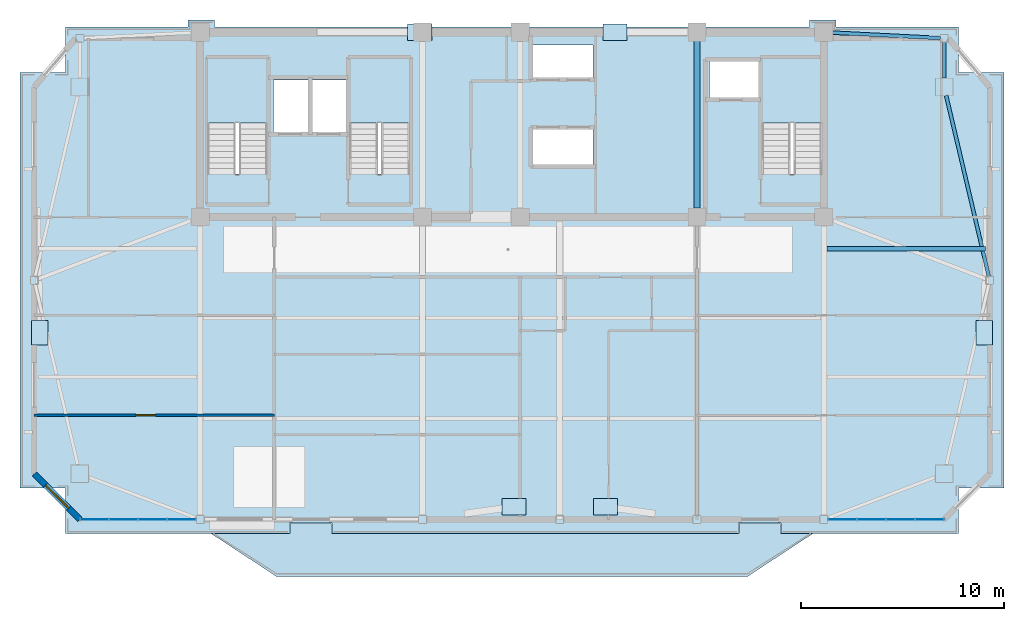
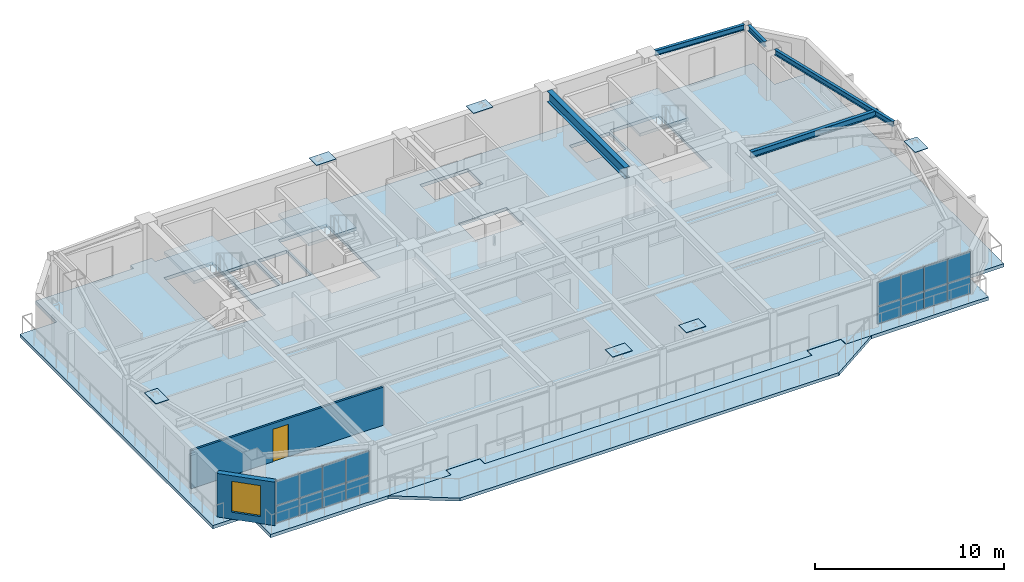
# One storey, part 5 of 12: 22 plates, 5 beams, 5 slabs, 2 walls, 1 door, 1 window, 2 openings, 5 elements without a shape of their own.
"""IFC4 building model written with IfcOpenShell, lengths in metres."""

from ifc_helpers import new_model, si_unit, direction, frame, frame_2d, origin, origin_2d, place, context, subcontext, project, spatial, polyline, rectangle, i_section, outline, extrude, source, transform, mapped, material, layer, layer_set, material_profile, profile_set, type_object, element, fill, aggregate, save


model = new_model("IFC4")

# Units and contexts
model_context = context("Model", 3, precision=1e-05, world=origin(), true_north=direction((0.0, 1.0)))
body_context = subcontext(model_context, "Body", "Model", "MODEL_VIEW")
ifc_project = project(units=[si_unit("LENGTHUNIT", "METRE"), si_unit("AREAUNIT", "SQUARE_METRE"), si_unit("VOLUMEUNIT", "CUBIC_METRE"), si_unit("PLANEANGLEUNIT", "RADIAN"), si_unit("MASSUNIT", "GRAM", prefix="KILO")], contexts=[model_context])

# Site, building, storey
site_placement = place(None, origin())
site = spatial("IfcSite", under=ifc_project, at=site_placement, CompositionType="ELEMENT")
building_placement = place(site_placement, origin())
building = spatial("IfcBuilding", under=site, at=building_placement, Name="Giltprow Tower", CompositionType="ELEMENT")
storey_placement = place(building_placement, frame((0.0, 0.0, 339.10009765625)))
storey = spatial("IfcBuildingStorey", under=building, at=storey_placement, Name="L88", CompositionType="ELEMENT", Elevation=339.10009765625)

# Beams
ifc_material_1 = material(Name="Structural steel Q355B", Category="steel")
ifc_material_profile_1 = material_profile(ifc_material_1, i_section(OverallWidth=0.300048828125, OverallDepth=0.699951171875, WebThickness=0.012939453125, FlangeThickness=0.02392578125, at=origin_2d()), Name="HN 700x300x13x24")
ifc_profile_set_1 = profile_set([ifc_material_profile_1], Name="Structural steel Q355B")
beam_type_1 = type_object("IfcBeamType", Name="BM-GIRD-HN700", PredefinedType="BEAM", material=ifc_profile_set_1)
shared_shape_1 = source(origin(), body_context, "Body", "SweptSolid", [
    extrude(i_section(OverallWidth=0.300048828125, OverallDepth=0.699951171875, WebThickness=0.012939453125, FlangeThickness=0.02392578125, at=origin_2d()), origin(), (0.0, 0.0, 1.0), 8.22998046875),
])
beam_1_placement = place(storey_placement, frame((44.300048828125, 37.885009765625, 2.8349609375), z_axis=(0.0, 1.0, 0.0), x_axis=(-1.0, 0.0, 0.0)))
element("IfcBeam", 1, at=beam_1_placement, inside=storey, type_object=beam_type_1, Name="L88 Core Tie Girder M3", PredefinedType="BEAM", context=body_context, shape_type="MappedRepresentation", body=[
    mapped(shared_shape_1, transform((0.0, 0.0, 0.0), x_axis=(1.0, 0.0, 0.0), y_axis=(0.0, 1.0, 0.0), z_axis=(0.0, 0.0, 1.0), scale=1.0)),
])
ifc_material_profile_2 = material_profile(ifc_material_1, i_section(OverallWidth=0.175048828125, OverallDepth=0.35009765625, WebThickness=0.007080078125, FlangeThickness=0.010986328125, at=origin_2d()), Name="HN 350x175x7x11")
ifc_profile_set_2 = profile_set([ifc_material_profile_2], Name="Structural steel Q355B")
beam_type_2 = type_object("IfcBeamType", Name="BM-SPAN-HN350", PredefinedType="SPANDREL", material=ifc_profile_set_2)
shared_shape_2 = source(origin(), body_context, "Body", "SweptSolid", [
    extrude(i_section(OverallWidth=0.175048828125, OverallDepth=0.35009765625, WebThickness=0.007080078125, FlangeThickness=0.010986328125, at=origin_2d()), origin(), (0.0, 0.0, 1.0), 9.161865234375),
])
beam_2_placement = place(storey_placement, frame((58.673095703125, 34.513916015625, 3.010009765625), z_axis=(-0.22964825006, 0.973273692876, 0.0), x_axis=(-0.973273692876, -0.22964825006, 0.0)))
element("IfcBeam", 2, at=beam_2_placement, inside=storey, type_object=beam_type_2, Name="L88 Perimeter Spandrel Beam E_MID-MC_NE", PredefinedType="SPANDREL", context=body_context, shape_type="MappedRepresentation", body=[
    mapped(shared_shape_2, transform((0.0, 0.0, 0.0), x_axis=(1.0, 0.0, 0.0), y_axis=(0.0, 1.0, 0.0), z_axis=(0.0, 0.0, 1.0), scale=1.0)),
])
shared_shape_3 = source(origin(), body_context, "Body", "SweptSolid", [
    extrude(i_section(OverallWidth=0.175048828125, OverallDepth=0.35009765625, WebThickness=0.007080078125, FlangeThickness=0.010986328125, at=origin_2d()), origin(), (0.0, 0.0, 1.0), 1.77587890625),
])
beam_3_placement = place(storey_placement, frame((56.468994140625, 44.2890625, 3.010009765625), z_axis=(0.0, 1.0, 0.0), x_axis=(-1.0, 0.0, 0.0)))
element("IfcBeam", 3, at=beam_3_placement, inside=storey, type_object=beam_type_2, Name="L88 Perimeter Spandrel Beam MC_NE-N_E", PredefinedType="SPANDREL", context=body_context, shape_type="MappedRepresentation", body=[
    mapped(shared_shape_3, transform((0.0, 0.0, 0.0), x_axis=(1.0, 0.0, 0.0), y_axis=(0.0, 1.0, 0.0), z_axis=(0.0, 0.0, 1.0), scale=1.0)),
])
shared_shape_4 = source(origin(), body_context, "Body", "SweptSolid", [
    extrude(i_section(OverallWidth=0.175048828125, OverallDepth=0.35009765625, WebThickness=0.007080078125, FlangeThickness=0.010986328125, at=origin_2d()), origin(), (0.0, 0.0, 1.0), 5.306884765625),
])
beam_4_placement = place(storey_placement, frame((50.98388671875, 46.528076171875, 3.010009765625), z_axis=(0.998714076234, -0.050697080106, 0.0), x_axis=(0.050697080106, 0.998714076234, 0.0)))
element("IfcBeam", 4, at=beam_4_placement, inside=storey, type_object=beam_type_2, Name="L88 North Wing Spandrel E", PredefinedType="SPANDREL", context=body_context, shape_type="MappedRepresentation", body=[
    mapped(shared_shape_4, transform((0.0, 0.0, 0.0), x_axis=(1.0, 0.0, 0.0), y_axis=(0.0, 1.0, 0.0), z_axis=(0.0, 0.0, 1.0), scale=1.0)),
])
ifc_material_profile_3 = material_profile(ifc_material_1, i_section(OverallWidth=0.199951171875, OverallDepth=0.39990234375, WebThickness=0.008056640625, FlangeThickness=0.012939453125, at=origin_2d()), Name="HN 400x200x8x13")
ifc_profile_set_3 = profile_set([ifc_material_profile_3], Name="Structural steel Q355B")
beam_type_3 = type_object("IfcBeamType", Name="BM-JOIST-HN400", PredefinedType="JOIST", material=ifc_profile_set_3)
shared_shape_5 = source(origin(), body_context, "Body", "SweptSolid", [
    extrude(i_section(OverallWidth=0.199951171875, OverallDepth=0.39990234375, WebThickness=0.008056640625, FlangeThickness=0.012939453125, at=origin_2d()), origin(), (0.0, 0.0, 1.0), 7.800048828125),
])
beam_5_placement = place(storey_placement, frame((50.695068359375, 35.89208984375, 2.98486328125), z_axis=(1.0, 0.0, 0.0), x_axis=(0.0, 1.0, 0.0)))
element("IfcBeam", 5, at=beam_5_placement, inside=storey, type_object=beam_type_3, Name="L88 East Wing Floor Joist 2", PredefinedType="JOIST", context=body_context, shape_type="MappedRepresentation", body=[
    mapped(shared_shape_5, transform((0.0, 0.0, 0.0), x_axis=(1.0, 0.0, 0.0), y_axis=(0.0, 1.0, 0.0), z_axis=(0.0, 0.0, 1.0), scale=1.0)),
])

# Slabs
ifc_material_2 = material(Name="Concrete C40", Category="concrete")
ifc_layer_1 = layer(ifc_material_2, 0.199951171875, Name="Concrete C40")
ifc_layer_set_1 = layer_set([ifc_layer_1], Name="Concrete C40")
slab_type_1 = type_object("IfcSlabType", Name="SLB-BALC-BRONZE-200", PredefinedType="FLOOR", material=ifc_layer_set_1)
slab_1_placement = place(storey_placement, frame((0.0, 0.0, -0.2001953125)))
element("IfcSlab", 6, at=slab_1_placement, inside=storey, type_object=slab_type_1, Name="L88 Bronze Prow Waterfront Balcony Slab", PredefinedType="FLOOR", context=body_context, shape_type="SweptSolid", body=[
    extrude(outline(polyline([(50.0, 21.867919921875), (46.800048828125, 19.76806640625), (23.60009765625, 19.76806640625), (20.39990234375, 21.867919921875), (24.280029296875, 21.867919921875), (24.280029296875, 22.367919921875), (26.320068359375, 22.367919921875), (26.320068359375, 21.867919921875), (46.3798828125, 21.867919921875), (46.3798828125, 22.367919921875), (48.419921875, 22.367919921875), (48.419921875, 21.867919921875), (50.0, 21.867919921875)])), origin(), (0.0, 0.0, 1.0), 0.2001953125),
])
ifc_layer_2 = layer(ifc_material_2, 0.215087890625, Name="Concrete C40")
ifc_layer_set_2 = layer_set([ifc_layer_2], Name="Concrete C40")
slab_type_2 = type_object("IfcSlabType", Name="SLB-RES-215", PredefinedType="FLOOR", material=ifc_layer_set_2)
slab_2_placement = place(storey_placement, frame((0.0, 0.0, -0.215087890625)))
element("IfcSlab", 7, at=slab_2_placement, inside=storey, type_object=slab_type_2, Name="L88 Structural Composite Floor Slab", PredefinedType="FLOOR", context=body_context, shape_type="SweptSolid", body=[
    extrude(outline(polyline([(59.4150390625, 44.553955078125), (59.4150390625, 24.114013671875), (57.1689453125, 24.114013671875), (57.1689453125, 21.867919921875), (48.449951171875, 21.867919921875), (48.449951171875, 22.387939453125), (46.35009765625, 22.387939453125), (46.35009765625, 21.867919921875), (26.35009765625, 21.867919921875), (26.35009765625, 22.387939453125), (24.25, 22.387939453125), (24.25, 21.867919921875), (13.23095703125, 21.867919921875), (13.23095703125, 24.114013671875), (10.985107421875, 24.114013671875), (10.985107421875, 44.553955078125), (13.23095703125, 44.553955078125), (13.23095703125, 46.800048828125), (19.25, 46.800048828125), (19.25, 47.14990234375), (20.550048828125, 47.14990234375), (20.550048828125, 46.800048828125), (49.85009765625, 46.800048828125), (49.85009765625, 47.14990234375), (51.14990234375, 47.14990234375), (51.14990234375, 46.800048828125), (57.1689453125, 46.800048828125), (57.1689453125, 44.553955078125), (59.4150390625, 44.553955078125)]), holes=[polyline([(39.18994140625, 41.800048828125), (36.239990234375, 41.800048828125), (36.239990234375, 40.0), (39.18994140625, 40.0), (39.18994140625, 41.800048828125)]), polyline([(23.159912109375, 39.570068359375), (23.159912109375, 45.25), (20.199951171875, 45.25), (20.199951171875, 39.570068359375), (23.159912109375, 39.570068359375)]), polyline([(30.159912109375, 39.570068359375), (30.159912109375, 45.25), (27.199951171875, 45.25), (27.199951171875, 39.570068359375), (30.159912109375, 39.570068359375)]), polyline([(50.4599609375, 45.25), (47.5, 45.25), (47.5, 39.570068359375), (50.4599609375, 39.570068359375), (50.4599609375, 45.25)]), polyline([(25.169921875, 44.199951171875), (23.449951171875, 44.199951171875), (23.449951171875, 41.60009765625), (25.169921875, 41.60009765625), (25.169921875, 44.199951171875)]), polyline([(27.10009765625, 44.199951171875), (25.35009765625, 44.199951171875), (25.35009765625, 41.60009765625), (27.10009765625, 41.60009765625), (27.10009765625, 44.199951171875)]), polyline([(47.3798828125, 43.300048828125), (47.3798828125, 45.10009765625), (44.919921875, 45.10009765625), (44.919921875, 43.300048828125), (47.3798828125, 43.300048828125)]), polyline([(39.18994140625, 44.300048828125), (39.18994140625, 45.919921875), (36.239990234375, 45.919921875), (36.239990234375, 44.300048828125), (39.18994140625, 44.300048828125)])]), origin(), (0.0, 0.0, 1.0), 0.215087890625),
])

# Stair, slab
stair_type_1 = type_object("IfcStairType", Name="STR-ST-1", PredefinedType="HALF_TURN_STAIR", material=ifc_material_2)
stair_1_placement = place(storey_placement, origin())
stair_1 = element("IfcStair", 8, at=stair_1_placement, inside=storey, type_object=stair_type_1, Name="L88 Core Exit Stair ST-1", PredefinedType="HALF_TURN_STAIR")
ifc_layer_3 = layer(ifc_material_2, 0.179931640625, Name="Concrete C40")
ifc_layer_set_3 = layer_set([ifc_layer_3], Name="Concrete C40")
slab_type_3 = type_object("IfcSlabType", Name="SLD-ST-1", PredefinedType="LANDING", material=ifc_layer_set_3)
slab_3_placement = place(storey_placement, frame((0.0, 0.0, 1.52001953125)))
slab_3 = element("IfcSlab", 9, at=slab_3_placement, type_object=slab_type_3, Name="ST-1 landing 1", PredefinedType="LANDING", context=body_context, shape_type="SweptSolid", body=[
    extrude(outline(polyline([(23.159912109375, 42.070068359375), (23.159912109375, 45.25), (20.199951171875, 45.25), (20.199951171875, 42.070068359375), (23.159912109375, 42.070068359375)])), origin(), (0.0, 0.0, 1.0), 0.179931640625),
])
aggregate(stair_1, [slab_3])

stair_type_2 = type_object("IfcStairType", Name="STR-ST-2", PredefinedType="HALF_TURN_STAIR", material=ifc_material_2)
stair_2_placement = place(storey_placement, origin())
stair_2 = element("IfcStair", 10, at=stair_2_placement, inside=storey, type_object=stair_type_2, Name="L88 Core Exit Stair ST-2", PredefinedType="HALF_TURN_STAIR")
ifc_layer_4 = layer(ifc_material_2, 0.18798828125, Name="Concrete C40")
ifc_layer_set_4 = layer_set([ifc_layer_4], Name="Concrete C40")
slab_type_4 = type_object("IfcSlabType", Name="SLD-ST-2", PredefinedType="LANDING", material=ifc_layer_set_4)
slab_4_placement = place(storey_placement, frame((0.0, 0.0, 1.511962890625)))
slab_4 = element("IfcSlab", 11, at=slab_4_placement, type_object=slab_type_4, Name="ST-2 landing 1", PredefinedType="LANDING", context=body_context, shape_type="SweptSolid", body=[
    extrude(outline(polyline([(30.159912109375, 42.070068359375), (30.159912109375, 45.25), (27.199951171875, 45.25), (27.199951171875, 42.070068359375), (30.159912109375, 42.070068359375)])), origin(), (0.0, 0.0, 1.0), 0.18798828125),
])
aggregate(stair_2, [slab_4])

stair_type_3 = type_object("IfcStairType", Name="STR-ST-3", PredefinedType="HALF_TURN_STAIR", material=ifc_material_2)
stair_3_placement = place(storey_placement, origin())
stair_3 = element("IfcStair", 12, at=stair_3_placement, inside=storey, type_object=stair_type_3, Name="L88 Core Exit Stair ST-3", PredefinedType="HALF_TURN_STAIR")
ifc_layer_5 = layer(ifc_material_2, 0.196044921875, Name="Concrete C40")
ifc_layer_set_5 = layer_set([ifc_layer_5], Name="Concrete C40")
slab_type_5 = type_object("IfcSlabType", Name="SLD-ST-3", PredefinedType="LANDING", material=ifc_layer_set_5)
slab_5_placement = place(storey_placement, frame((0.0, 0.0, 1.50390625)))
slab_5 = element("IfcSlab", 13, at=slab_5_placement, type_object=slab_type_5, Name="ST-3 landing 1", PredefinedType="LANDING", context=body_context, shape_type="SweptSolid", body=[
    extrude(outline(polyline([(50.4599609375, 42.070068359375), (50.4599609375, 45.25), (47.5, 45.25), (47.5, 42.070068359375), (50.4599609375, 42.070068359375)])), origin(), (0.0, 0.0, 1.0), 0.196044921875),
])
aggregate(stair_3, [slab_5])

# Plates
ifc_material_3 = material(Name="Structural steel Q420GJC", Category="steel")
plate_type_1 = type_object("IfcPlateType", Name="PLT-CAP-SEAL", PredefinedType="USERDEFINED", material=ifc_material_3)
shared_shape_6 = source(origin(), body_context, "Body", "SweptSolid", [
    extrude(rectangle(XDim=1.199951171875, YDim=0.800048828125, at=origin_2d()), origin(), (0.0, 0.0, 1.0), 0.034912109375),
])
for number, where, z_axis, x_axis, name in (
    (14, (35.300048828125, 23.18896484375, 3.38232421875), (0.0, 0.0, 1.0), (1.0, 0.0, 0.0), "Mega-Brace Node L88-S-LB"),
    (15, (39.800048828125, 23.18896484375, 3.38232421875), (0.0, 0.0, 1.0), (1.0, 0.0, 0.0), "Mega-Brace Node L88-S-RB"),
    (16, (30.6669921875, 46.550048828125, 3.24267578125), (0.0, 0.0, 1.0), (1.0, 0.0, 0.0), "Mega-Brace Node L88-N-LB"),
    (17, (40.26708984375, 46.550048828125, 3.24267578125), (0.0, 0.0, 1.0), (1.0, 0.0, 0.0), "Mega-Brace Node L88-N-RB"),
    (18, (11.9619140625, 31.7509765625, 3.38232421875), (0.0, 0.0, 1.0), (0.0, 1.0, 0.0), "Mega-Brace Node L88-W-DB"),
    (19, (58.43798828125, 31.7509765625, 3.38232421875), (0.0, 0.0, 1.0), (0.0, 1.0, 0.0), "Mega-Brace Node L88-E-DB"),
):
    element("IfcPlate", number, at=place(storey_placement, frame(where, z_axis=z_axis, x_axis=x_axis)), inside=storey, type_object=plate_type_1, Name=name, ObjectType="SPLICE", PredefinedType="USERDEFINED", context=body_context, shape_type="MappedRepresentation", body=[
        mapped(shared_shape_6, transform((0.0, 0.0, 0.0), x_axis=(1.0, 0.0, 0.0), y_axis=(0.0, 1.0, 0.0), z_axis=(0.0, 0.0, 1.0), scale=1.0)),
    ])

# Curtain wall, plates
ifc_material_4 = material(Name="Anodized bronze", Category="metal")
ifc_layer_6 = layer(ifc_material_4, 0.179931640625, Name="Anodized bronze")
ifc_layer_set_6 = layer_set([ifc_layer_6], Name="Anodized bronze")
curtain_wall_type = type_object("IfcCurtainWallType", Name="CW-RES-SKY", PredefinedType="NOTDEFINED", material=ifc_layer_set_6)
curtain_wall_1_placement = place(storey_placement, origin())
curtain_wall_1 = element("IfcCurtainWall", 20, at=curtain_wall_1_placement, inside=storey, type_object=curtain_wall_type, Name="L88 South Recessed Curtain Wall 1", PredefinedType="NOTDEFINED")
ifc_material_5 = material(Name="Insulated glass", Category="glass")
plate_type_2 = type_object("IfcPlateType", Name="CW-PANEL-IGU-28", PredefinedType="CURTAIN_PANEL", material=ifc_material_5)
shared_shape_7 = source(origin(), body_context, "Body", "SweptSolid", [
    extrude(rectangle(XDim=1.39990234375, YDim=0.028076171875, at=origin_2d()), origin(), (0.0, 0.0, 1.0), 1.114013671875),
])
plate_1_placement = place(storey_placement, frame((14.64599609375, 22.568115234375, 0.0537109375), z_axis=(0.0, 0.0, 1.0), x_axis=(1.0, 0.0, 0.0)))
plate_1 = element("IfcPlate", 21, at=plate_1_placement, type_object=plate_type_2, Name="L88 South Recessed Curtain Wall 1 Glazing Panel 1-1", PredefinedType="CURTAIN_PANEL", context=body_context, shape_type="MappedRepresentation", body=[
    mapped(shared_shape_7, transform((0.0, 0.0, 0.0), x_axis=(1.0, 0.0, 0.0), y_axis=(0.0, 1.0, 0.0), z_axis=(0.0, 0.0, 1.0), scale=1.0)),
])
plate_2_placement = place(storey_placement, frame((16.075927734375, 22.568115234375, 0.0537109375), z_axis=(0.0, 0.0, 1.0), x_axis=(1.0, 0.0, 0.0)))
plate_2 = element("IfcPlate", 22, at=plate_2_placement, type_object=plate_type_2, Name="L88 South Recessed Curtain Wall 1 Glazing Panel 2-1", PredefinedType="CURTAIN_PANEL", context=body_context, shape_type="MappedRepresentation", body=[
    mapped(shared_shape_7, transform((0.0, 0.0, 0.0), x_axis=(1.0, 0.0, 0.0), y_axis=(0.0, 1.0, 0.0), z_axis=(0.0, 0.0, 1.0), scale=1.0)),
])
plate_3_placement = place(storey_placement, frame((17.5048828125, 22.568115234375, 0.0537109375), z_axis=(0.0, 0.0, 1.0), x_axis=(1.0, 0.0, 0.0)))
plate_3 = element("IfcPlate", 23, at=plate_3_placement, type_object=plate_type_2, Name="L88 South Recessed Curtain Wall 1 Glazing Panel 3-1", PredefinedType="CURTAIN_PANEL", context=body_context, shape_type="MappedRepresentation", body=[
    mapped(shared_shape_7, transform((0.0, 0.0, 0.0), x_axis=(1.0, 0.0, 0.0), y_axis=(0.0, 1.0, 0.0), z_axis=(0.0, 0.0, 1.0), scale=1.0)),
])
plate_4_placement = place(storey_placement, frame((18.93505859375, 22.568115234375, 0.0537109375), z_axis=(0.0, 0.0, 1.0), x_axis=(1.0, 0.0, 0.0)))
plate_4 = element("IfcPlate", 24, at=plate_4_placement, type_object=plate_type_2, Name="L88 South Recessed Curtain Wall 1 Glazing Panel 4-1", PredefinedType="CURTAIN_PANEL", context=body_context, shape_type="MappedRepresentation", body=[
    mapped(shared_shape_7, transform((0.0, 0.0, 0.0), x_axis=(1.0, 0.0, 0.0), y_axis=(0.0, 1.0, 0.0), z_axis=(0.0, 0.0, 1.0), scale=1.0)),
])

curtain_wall_2_placement = place(storey_placement, origin())
curtain_wall_2 = element("IfcCurtainWall", 25, at=curtain_wall_2_placement, inside=storey, type_object=curtain_wall_type, Name="L88 South Recessed Curtain Wall 6", PredefinedType="NOTDEFINED")
plate_5_placement = place(storey_placement, frame((51.465087890625, 22.568115234375, 0.0537109375), z_axis=(0.0, 0.0, 1.0), x_axis=(1.0, 0.0, 0.0)))
plate_5 = element("IfcPlate", 26, at=plate_5_placement, type_object=plate_type_2, Name="L88 South Recessed Curtain Wall 6 Glazing Panel 1-1", PredefinedType="CURTAIN_PANEL", context=body_context, shape_type="MappedRepresentation", body=[
    mapped(shared_shape_7, transform((0.0, 0.0, 0.0), x_axis=(1.0, 0.0, 0.0), y_axis=(0.0, 1.0, 0.0), z_axis=(0.0, 0.0, 1.0), scale=1.0)),
])
plate_6_placement = place(storey_placement, frame((52.89501953125, 22.568115234375, 0.0537109375), z_axis=(0.0, 0.0, 1.0), x_axis=(1.0, 0.0, 0.0)))
plate_6 = element("IfcPlate", 27, at=plate_6_placement, type_object=plate_type_2, Name="L88 South Recessed Curtain Wall 6 Glazing Panel 2-1", PredefinedType="CURTAIN_PANEL", context=body_context, shape_type="MappedRepresentation", body=[
    mapped(shared_shape_7, transform((0.0, 0.0, 0.0), x_axis=(1.0, 0.0, 0.0), y_axis=(0.0, 1.0, 0.0), z_axis=(0.0, 0.0, 1.0), scale=1.0)),
])
plate_7_placement = place(storey_placement, frame((54.323974609375, 22.568115234375, 0.0537109375), z_axis=(0.0, 0.0, 1.0), x_axis=(1.0, 0.0, 0.0)))
plate_7 = element("IfcPlate", 28, at=plate_7_placement, type_object=plate_type_2, Name="L88 South Recessed Curtain Wall 6 Glazing Panel 3-1", PredefinedType="CURTAIN_PANEL", context=body_context, shape_type="MappedRepresentation", body=[
    mapped(shared_shape_7, transform((0.0, 0.0, 0.0), x_axis=(1.0, 0.0, 0.0), y_axis=(0.0, 1.0, 0.0), z_axis=(0.0, 0.0, 1.0), scale=1.0)),
])
plate_8_placement = place(storey_placement, frame((55.75390625, 22.568115234375, 0.0537109375), z_axis=(0.0, 0.0, 1.0), x_axis=(1.0, 0.0, 0.0)))
plate_8 = element("IfcPlate", 29, at=plate_8_placement, type_object=plate_type_2, Name="L88 South Recessed Curtain Wall 6 Glazing Panel 4-1", PredefinedType="CURTAIN_PANEL", context=body_context, shape_type="MappedRepresentation", body=[
    mapped(shared_shape_7, transform((0.0, 0.0, 0.0), x_axis=(1.0, 0.0, 0.0), y_axis=(0.0, 1.0, 0.0), z_axis=(0.0, 0.0, 1.0), scale=1.0)),
])

# Plate
shared_shape_8 = source(origin(), body_context, "Body", "SweptSolid", [
    extrude(rectangle(XDim=1.39990234375, YDim=0.028076171875, at=origin_2d()), origin(), (0.0, 0.0, 1.0), 1.56494140625),
])
plate_9_placement = place(storey_placement, frame((14.64599609375, 22.568115234375, 1.1953125), z_axis=(0.0, 0.0, 1.0), x_axis=(1.0, 0.0, 0.0)))
plate_9 = element("IfcPlate", 30, at=plate_9_placement, type_object=plate_type_2, Name="L88 South Recessed Curtain Wall 1 Glazing Panel 1-2", PredefinedType="CURTAIN_PANEL", context=body_context, shape_type="MappedRepresentation", body=[
    mapped(shared_shape_8, transform((0.0, 0.0, 0.0), x_axis=(1.0, 0.0, 0.0), y_axis=(0.0, 1.0, 0.0), z_axis=(0.0, 0.0, 1.0), scale=1.0)),
])

plate_10_placement = place(storey_placement, frame((16.075927734375, 22.568115234375, 1.1953125), z_axis=(0.0, 0.0, 1.0), x_axis=(1.0, 0.0, 0.0)))
plate_10 = element("IfcPlate", 31, at=plate_10_placement, type_object=plate_type_2, Name="L88 South Recessed Curtain Wall 1 Glazing Panel 2-2", PredefinedType="CURTAIN_PANEL", context=body_context, shape_type="MappedRepresentation", body=[
    mapped(shared_shape_8, transform((0.0, 0.0, 0.0), x_axis=(1.0, 0.0, 0.0), y_axis=(0.0, 1.0, 0.0), z_axis=(0.0, 0.0, 1.0), scale=1.0)),
])

plate_11_placement = place(storey_placement, frame((17.5048828125, 22.568115234375, 1.1953125), z_axis=(0.0, 0.0, 1.0), x_axis=(1.0, 0.0, 0.0)))
plate_11 = element("IfcPlate", 32, at=plate_11_placement, type_object=plate_type_2, Name="L88 South Recessed Curtain Wall 1 Glazing Panel 3-2", PredefinedType="CURTAIN_PANEL", context=body_context, shape_type="MappedRepresentation", body=[
    mapped(shared_shape_8, transform((0.0, 0.0, 0.0), x_axis=(1.0, 0.0, 0.0), y_axis=(0.0, 1.0, 0.0), z_axis=(0.0, 0.0, 1.0), scale=1.0)),
])

plate_12_placement = place(storey_placement, frame((18.93505859375, 22.568115234375, 1.1953125), z_axis=(0.0, 0.0, 1.0), x_axis=(1.0, 0.0, 0.0)))
plate_12 = element("IfcPlate", 33, at=plate_12_placement, type_object=plate_type_2, Name="L88 South Recessed Curtain Wall 1 Glazing Panel 4-2", PredefinedType="CURTAIN_PANEL", context=body_context, shape_type="MappedRepresentation", body=[
    mapped(shared_shape_8, transform((0.0, 0.0, 0.0), x_axis=(1.0, 0.0, 0.0), y_axis=(0.0, 1.0, 0.0), z_axis=(0.0, 0.0, 1.0), scale=1.0)),
])

aggregate(curtain_wall_1, [plate_1, plate_9, plate_2, plate_10, plate_3, plate_11, plate_4, plate_12])

plate_13_placement = place(storey_placement, frame((51.465087890625, 22.568115234375, 1.1953125), z_axis=(0.0, 0.0, 1.0), x_axis=(1.0, 0.0, 0.0)))
plate_13 = element("IfcPlate", 34, at=plate_13_placement, type_object=plate_type_2, Name="L88 South Recessed Curtain Wall 6 Glazing Panel 1-2", PredefinedType="CURTAIN_PANEL", context=body_context, shape_type="MappedRepresentation", body=[
    mapped(shared_shape_8, transform((0.0, 0.0, 0.0), x_axis=(1.0, 0.0, 0.0), y_axis=(0.0, 1.0, 0.0), z_axis=(0.0, 0.0, 1.0), scale=1.0)),
])

plate_14_placement = place(storey_placement, frame((52.89501953125, 22.568115234375, 1.1953125), z_axis=(0.0, 0.0, 1.0), x_axis=(1.0, 0.0, 0.0)))
plate_14 = element("IfcPlate", 35, at=plate_14_placement, type_object=plate_type_2, Name="L88 South Recessed Curtain Wall 6 Glazing Panel 2-2", PredefinedType="CURTAIN_PANEL", context=body_context, shape_type="MappedRepresentation", body=[
    mapped(shared_shape_8, transform((0.0, 0.0, 0.0), x_axis=(1.0, 0.0, 0.0), y_axis=(0.0, 1.0, 0.0), z_axis=(0.0, 0.0, 1.0), scale=1.0)),
])

plate_15_placement = place(storey_placement, frame((54.323974609375, 22.568115234375, 1.1953125), z_axis=(0.0, 0.0, 1.0), x_axis=(1.0, 0.0, 0.0)))
plate_15 = element("IfcPlate", 36, at=plate_15_placement, type_object=plate_type_2, Name="L88 South Recessed Curtain Wall 6 Glazing Panel 3-2", PredefinedType="CURTAIN_PANEL", context=body_context, shape_type="MappedRepresentation", body=[
    mapped(shared_shape_8, transform((0.0, 0.0, 0.0), x_axis=(1.0, 0.0, 0.0), y_axis=(0.0, 1.0, 0.0), z_axis=(0.0, 0.0, 1.0), scale=1.0)),
])

plate_16_placement = place(storey_placement, frame((55.75390625, 22.568115234375, 1.1953125), z_axis=(0.0, 0.0, 1.0), x_axis=(1.0, 0.0, 0.0)))
plate_16 = element("IfcPlate", 37, at=plate_16_placement, type_object=plate_type_2, Name="L88 South Recessed Curtain Wall 6 Glazing Panel 4-2", PredefinedType="CURTAIN_PANEL", context=body_context, shape_type="MappedRepresentation", body=[
    mapped(shared_shape_8, transform((0.0, 0.0, 0.0), x_axis=(1.0, 0.0, 0.0), y_axis=(0.0, 1.0, 0.0), z_axis=(0.0, 0.0, 1.0), scale=1.0)),
])

aggregate(curtain_wall_2, [plate_5, plate_13, plate_6, plate_14, plate_7, plate_15, plate_8, plate_16])

# Wall, opening, window
ifc_material_6 = material(Name="Precast concrete C40", Category="concrete")
ifc_layer_7 = layer(ifc_material_6, 0.300048828125, Name="Precast concrete C40")
ifc_layer_set_7 = layer_set([ifc_layer_7], Name="Precast concrete C40")
wall_type_1 = type_object("IfcWallType", Name="EW-NOTCH-CHAMFER-300", PredefinedType="SOLIDWALL", material=ifc_layer_set_7)
wall_1_placement = place(storey_placement, frame((11.68505859375, 24.81396484375, 0.0), z_axis=(0.0, 0.0, 1.0), x_axis=(0.707106781187, -0.707106781187, 0.0)))
wall_1 = element("IfcWall", 38, at=wall_1_placement, inside=storey, type_object=wall_type_1, Name="L88 Corner Notch Wall SW", PredefinedType="SOLIDWALL", context=body_context, shape_type="SweptSolid", body=[
    extrude(rectangle(XDim=3.176025390625, YDim=0.300048828125, at=frame_2d((1.587890625, 0.0))), origin(), (0.0, 0.0, 1.0), 2.81494140625),
])
opening_1_placement = place(wall_1_placement, frame((0.7880859375, 0.0, 0.449951171875)))
opening_1 = element("IfcOpeningElement", 39, at=opening_1_placement, cuts=wall_1, Name="Opening WN17", PredefinedType="OPENING", context=body_context, shape_type="SweptSolid", body=[
    extrude(rectangle(XDim=1.60009765625, YDim=2.0, at=frame_2d((0.800048828125, 1.0))), frame((0.0, 0.159912109375, 0.0), z_axis=(0.0, -1.0, 0.0), x_axis=(1.0, 0.0, 0.0)), (0.0, 0.0, 1.0), 0.320068359375),
])
window_type = type_object("IfcWindowType", Name="WN-COR-1600x2000", PartitioningType="SINGLE_PANEL", PredefinedType="WINDOW", material=ifc_material_5)
shared_shape_9 = source(origin(), body_context, "Body", "SweptSolid", [
    extrude(rectangle(XDim=1.60009765625, YDim=2.0, at=frame_2d((0.800048828125, 1.0))), frame((0.0, 0.030029296875, 0.0), z_axis=(0.0, -1.0, 0.0), x_axis=(1.0, 0.0, 0.0)), (0.0, 0.0, 1.0), 0.06005859375),
])
window_placement = place(opening_1_placement, origin())
window = element("IfcWindow", 40, at=window_placement, inside=storey, type_object=window_type, Name="L88 Corner Notch Window SW", OverallHeight=2.0, OverallWidth=1.60009765625, PartitioningType="SINGLE_PANEL", PredefinedType="WINDOW", context=body_context, shape_type="MappedRepresentation", body=[
    mapped(shared_shape_9, transform((0.0, 0.0, 0.0), x_axis=(1.0, 0.0, 0.0), y_axis=(0.0, 1.0, 0.0), z_axis=(0.0, 0.0, 1.0), scale=1.0)),
])
fill(opening_1, window)

# Wall, opening, door
ifc_material_7 = material(Name="Gypsum stud partition", Category="gypsum")
ifc_layer_8 = layer(ifc_material_7, 0.1201171875, Name="Gypsum stud partition")
ifc_layer_set_8 = layer_set([ifc_layer_8], Name="Gypsum stud partition")
wall_type_2 = type_object("IfcWallType", Name="IW-ROOM-120", PredefinedType="PARTITIONING", material=ifc_layer_set_8)
wall_2_placement = place(storey_placement, frame((11.68505859375, 27.69189453125, 0.0), z_axis=(0.0, 0.0, 1.0), x_axis=(1.0, 0.0, 0.0)))
wall_2 = element("IfcWall", 41, at=wall_2_placement, inside=storey, type_object=wall_type_2, Name="L88 Special Split 1", PredefinedType="PARTITIONING", context=body_context, shape_type="SweptSolid", body=[
    extrude(rectangle(XDim=11.81494140625, YDim=0.1201171875, at=frame_2d((5.907470703125, 0.0))), origin(), (0.0, 0.0, 1.0), 2.469970703125),
])
opening_2_placement = place(wall_2_placement, frame((5.011962890625, 0.0, 0.0)))
opening_2 = element("IfcOpeningElement", 42, at=opening_2_placement, cuts=wall_2, Name="Opening ID11", PredefinedType="OPENING", context=body_context, shape_type="SweptSolid", body=[
    extrude(rectangle(XDim=0.949951171875, YDim=2.10009765625, at=frame_2d((0.47509765625, 1.050048828125))), frame((0.0, 0.070068359375, 0.0), z_axis=(0.0, -1.0, 0.0), x_axis=(1.0, 0.0, 0.0)), (0.0, 0.0, 1.0), 0.14013671875),
])
ifc_material_8 = material(Name="Engineered timber", Category="wood")
door_type = type_object("IfcDoorType", Name="DR-ROOM-950", OperationType="SINGLE_SWING_RIGHT", PredefinedType="DOOR", material=ifc_material_8)
shared_shape_10 = source(origin(), body_context, "Body", "SweptSolid", [
    extrude(rectangle(XDim=0.949951171875, YDim=2.10009765625, at=frame_2d((0.47509765625, 1.050048828125))), frame((0.0, 0.02490234375, 0.0), z_axis=(0.0, -1.0, 0.0), x_axis=(1.0, 0.0, 0.0)), (0.0, 0.0, 1.0), 0.050048828125),
])
door_placement = place(opening_2_placement, origin())
door = element("IfcDoor", 43, at=door_placement, inside=storey, type_object=door_type, Name="L88 Penthouse Art Gallery Shop 1 South Door", OperationType="SINGLE_SWING_RIGHT", OverallHeight=2.10009765625, OverallWidth=0.949951171875, PredefinedType="DOOR", context=body_context, shape_type="MappedRepresentation", body=[
    mapped(shared_shape_10, transform((0.0, 0.0, 0.0), x_axis=(1.0, 0.0, 0.0), y_axis=(0.0, 1.0, 0.0), z_axis=(0.0, 0.0, 1.0), scale=1.0)),
])
fill(opening_2, door)

save(model, "model.ifc")
